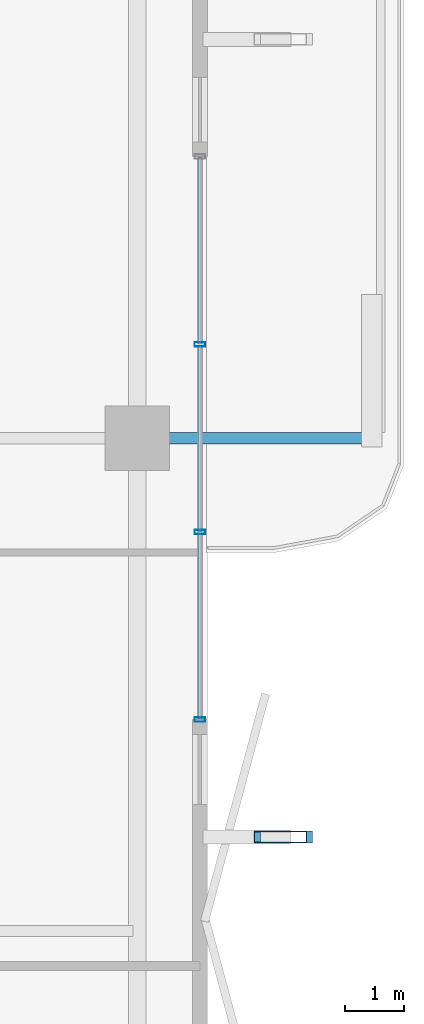
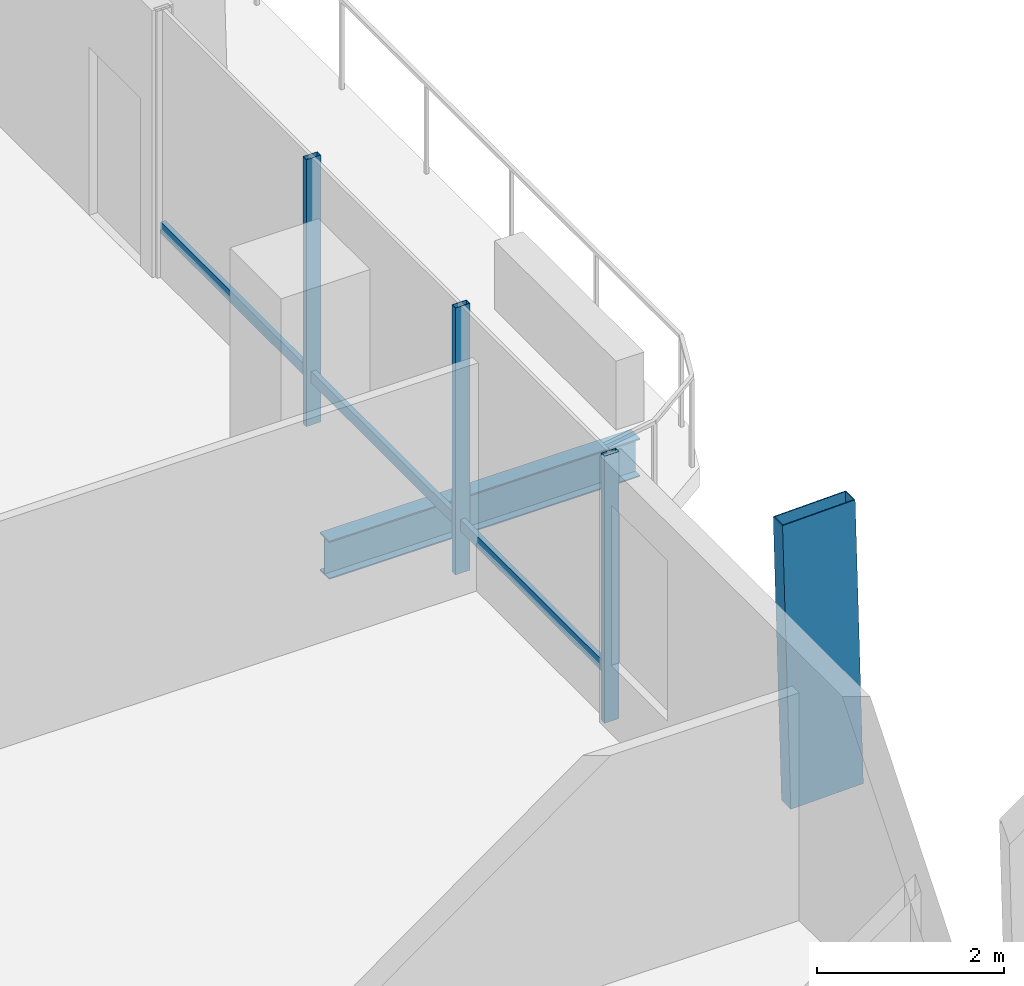
# One storey, part 10 of 23: 7 members, 1 beam, 1 element without a shape of its own.
"""IFC4 building model written with IfcOpenShell, lengths in metres."""

from ifc_helpers import new_model, si_unit, direction, frame, origin, origin_2d, place, context, subcontext, project, spatial, hollow_rectangle, i_section, extrude, material, layer, layer_set, material_profile, profile_set, type_object, element, aggregate, save


model = new_model("IFC4")

# Units and contexts
model_context = context("Model", 3, precision=1e-05, world=origin(), true_north=direction((0.0, 1.0)))
body_context = subcontext(model_context, "Body", "Model", "MODEL_VIEW")
ifc_project = project(units=[si_unit("LENGTHUNIT", "METRE"), si_unit("AREAUNIT", "SQUARE_METRE"), si_unit("VOLUMEUNIT", "CUBIC_METRE"), si_unit("PLANEANGLEUNIT", "RADIAN"), si_unit("MASSUNIT", "GRAM", prefix="KILO")], contexts=[model_context])

# Site, building, storey
site_placement = place(None, origin())
site = spatial("IfcSite", under=ifc_project, at=site_placement, CompositionType="ELEMENT")
building_placement = place(site_placement, origin())
building = spatial("IfcBuilding", under=site, at=building_placement, Name="Belovzor Exchange Tower", CompositionType="ELEMENT")
storey_placement = place(building_placement, frame((0.0, 0.0, 157.050048828125)))
storey = spatial("IfcBuildingStorey", under=building, at=storey_placement, Name="L38", CompositionType="ELEMENT", Elevation=157.050048828125)

# Beam
ifc_material_1 = material(Name="Steel S355", Category="steel")
ifc_material_profile_1 = material_profile(ifc_material_1, i_section(OverallWidth=0.199951171875, OverallDepth=0.5, WebThickness=0.01025390625, FlangeThickness=0.01611328125, at=origin_2d()))
ifc_profile_set_1 = profile_set([ifc_material_profile_1], Name="Steel S355")
beam_type = type_object("IfcBeamType", Name="Planted Balcony Cantilever Beam IPE 500", PredefinedType="BEAM", material=ifc_profile_set_1)
beam_placement = place(storey_placement, frame((52.202880859375, 28.800048828125, -0.505126953125), z_axis=(1.0, 0.0, 0.0), x_axis=(0.0, 1.0, 0.0)))
element("IfcBeam", 1, at=beam_placement, inside=storey, type_object=beam_type, Name="BC-500 Planted Balcony Cantilever Beam IPE 500", PredefinedType="BEAM", context=body_context, shape_type="SweptSolid", body=[
    extrude(i_section(OverallWidth=0.199951171875, OverallDepth=0.5, WebThickness=0.01025390625, FlangeThickness=0.01611328125, at=origin_2d()), origin(), (0.0, 0.0, 1.0), 3.85009765625),
])

# Member
ifc_material_2 = material(Name="Extruded Architectural Terracotta on Steel S355 Carrier", Category="masonry")
ifc_material_profile_2 = material_profile(ifc_material_2, hollow_rectangle(XDim=0.199951171875, YDim=0.89990234375, WallThickness=0.011962890625, at=origin_2d()))
ifc_profile_set_2 = profile_set([ifc_material_profile_2], Name="Extruded Architectural Terracotta on Steel S355 Carrier")
member_type_1 = type_object("IfcMemberType", Name="Sweeping Terracotta Baguette Fin Assembly 1250", PredefinedType="USERDEFINED", material=ifc_profile_set_2)
member_1_placement = place(storey_placement, frame((54.443115234375, 22.0, -0.255126953125), z_axis=(-0.027203470401, 0.0, 0.999629917118), x_axis=(0.0, -1.0, 0.0)))
element("IfcMember", 2, at=member_1_placement, inside=storey, type_object=member_type_1, Name="FIN-TC125 Terracotta Facade Fin L38 E2", ObjectType="FIN", PredefinedType="USERDEFINED", context=body_context, shape_type="SweptSolid", body=[
    extrude(hollow_rectangle(XDim=0.199951171875, YDim=0.89990234375, WallThickness=0.011962890625, at=origin_2d()), origin(), (0.0, 0.0, 1.0), 3.75146484375),
])

# Curtain wall, members
ifc_material_3 = material(Name="Anodised Aluminium Framing", Category="aluminium")
ifc_layer = layer(ifc_material_3, 0.179931640625)
ifc_layer_set = layer_set([ifc_layer], Name="Anodised Aluminium Framing")
curtain_wall_type = type_object("IfcCurtainWallType", Name="Recessed Loggia Low-Iron Triple-Glazed Curtain Wall", PredefinedType="NOTDEFINED", material=ifc_layer_set)
curtain_wall_placement = place(storey_placement, origin())
curtain_wall = element("IfcCurtainWall", 3, at=curtain_wall_placement, inside=storey, type_object=curtain_wall_type, Name="CW3 Recessed Loggia Low-Iron Triple-Glazed Curtain Wall L38", PredefinedType="NOTDEFINED")
ifc_material_4 = material(Name="Steel S355", Category="steel")
ifc_material_profile_3 = material_profile(ifc_material_4, hollow_rectangle(XDim=0.074951171875, YDim=0.179931640625, WallThickness=0.0048828125, at=origin_2d()))
ifc_profile_set_3 = profile_set([ifc_material_profile_3], Name="Steel S355")
member_type_2 = type_object("IfcMemberType", Name="Thermally Broken Curtain Wall Mullion 180x75", PredefinedType="MULLION", material=ifc_profile_set_3)
member_2_placement = place(storey_placement, frame((52.969970703125, 30.39990234375, 0.0), z_axis=(0.0, 0.0, 1.0), x_axis=(0.0, -1.0, 0.0)))
member_2 = element("IfcMember", 4, at=member_2_placement, type_object=member_type_2, Name="CW-M180 Curtain Wall Mullion 2", PredefinedType="MULLION", context=body_context, shape_type="SweptSolid", body=[
    extrude(hollow_rectangle(XDim=0.074951171875, YDim=0.179931640625, WallThickness=0.0048828125, at=origin_2d()), origin(), (0.0, 0.0, 1.0), 3.494873046875),
])
member_3_placement = place(storey_placement, frame((52.969970703125, 27.199951171875, 0.0), z_axis=(0.0, 0.0, 1.0), x_axis=(0.0, -1.0, 0.0)))
member_3 = element("IfcMember", 5, at=member_3_placement, type_object=member_type_2, Name="CW-M180 Curtain Wall Mullion 3", PredefinedType="MULLION", context=body_context, shape_type="SweptSolid", body=[
    extrude(hollow_rectangle(XDim=0.074951171875, YDim=0.179931640625, WallThickness=0.0048828125, at=origin_2d()), origin(), (0.0, 0.0, 1.0), 3.494873046875),
])
member_4_placement = place(storey_placement, frame((52.969970703125, 24.0, 0.0), z_axis=(0.0, 0.0, 1.0), x_axis=(0.0, -1.0, 0.0)))
member_4 = element("IfcMember", 6, at=member_4_placement, type_object=member_type_2, Name="CW-M180 Curtain Wall Mullion 4", PredefinedType="MULLION", context=body_context, shape_type="SweptSolid", body=[
    extrude(hollow_rectangle(XDim=0.074951171875, YDim=0.179931640625, WallThickness=0.0048828125, at=origin_2d()), origin(), (0.0, 0.0, 1.0), 3.494873046875),
])
ifc_material_5 = material(Name="Steel S355", Category="steel")
ifc_material_profile_4 = material_profile(ifc_material_5, hollow_rectangle(XDim=0.06005859375, YDim=0.14990234375, WallThickness=0.00390625, at=origin_2d()))
ifc_profile_set_4 = profile_set([ifc_material_profile_4], Name="Steel S355")
member_type_3 = type_object("IfcMemberType", Name="Thermally Broken Curtain Wall Transom 150x60", PredefinedType="USERDEFINED", material=ifc_profile_set_4)
member_5_placement = place(storey_placement, frame((52.969970703125, 33.592041015625, 0.62890625), z_axis=(0.0, -1.0, 0.0), x_axis=(1.0, 0.0, 0.0)))
member_5 = element("IfcMember", 7, at=member_5_placement, type_object=member_type_3, Name="CW-T150 Curtain Wall Transom 1", ObjectType="TRANSOM", PredefinedType="USERDEFINED", context=body_context, shape_type="SweptSolid", body=[
    extrude(hollow_rectangle(XDim=0.06005859375, YDim=0.14990234375, WallThickness=0.00390625, at=origin_2d()), origin(), (0.0, 0.0, 1.0), 3.18408203125),
])
member_6_placement = place(storey_placement, frame((52.969970703125, 30.39208984375, 0.62890625), z_axis=(0.0, -1.0, 0.0), x_axis=(1.0, 0.0, 0.0)))
member_6 = element("IfcMember", 8, at=member_6_placement, type_object=member_type_3, Name="CW-T150 Curtain Wall Transom 2", ObjectType="TRANSOM", PredefinedType="USERDEFINED", context=body_context, shape_type="SweptSolid", body=[
    extrude(hollow_rectangle(XDim=0.06005859375, YDim=0.14990234375, WallThickness=0.00390625, at=origin_2d()), origin(), (0.0, 0.0, 1.0), 3.18408203125),
])
member_7_placement = place(storey_placement, frame((52.969970703125, 27.19189453125, 0.62890625), z_axis=(0.0, -1.0, 0.0), x_axis=(1.0, 0.0, 0.0)))
member_7 = element("IfcMember", 9, at=member_7_placement, type_object=member_type_3, Name="CW-T150 Curtain Wall Transom 3", ObjectType="TRANSOM", PredefinedType="USERDEFINED", context=body_context, shape_type="SweptSolid", body=[
    extrude(hollow_rectangle(XDim=0.06005859375, YDim=0.14990234375, WallThickness=0.00390625, at=origin_2d()), origin(), (0.0, 0.0, 1.0), 3.183837890625),
])
aggregate(curtain_wall, [member_2, member_3, member_4, member_5, member_6, member_7])

save(model, "model.ifc")
